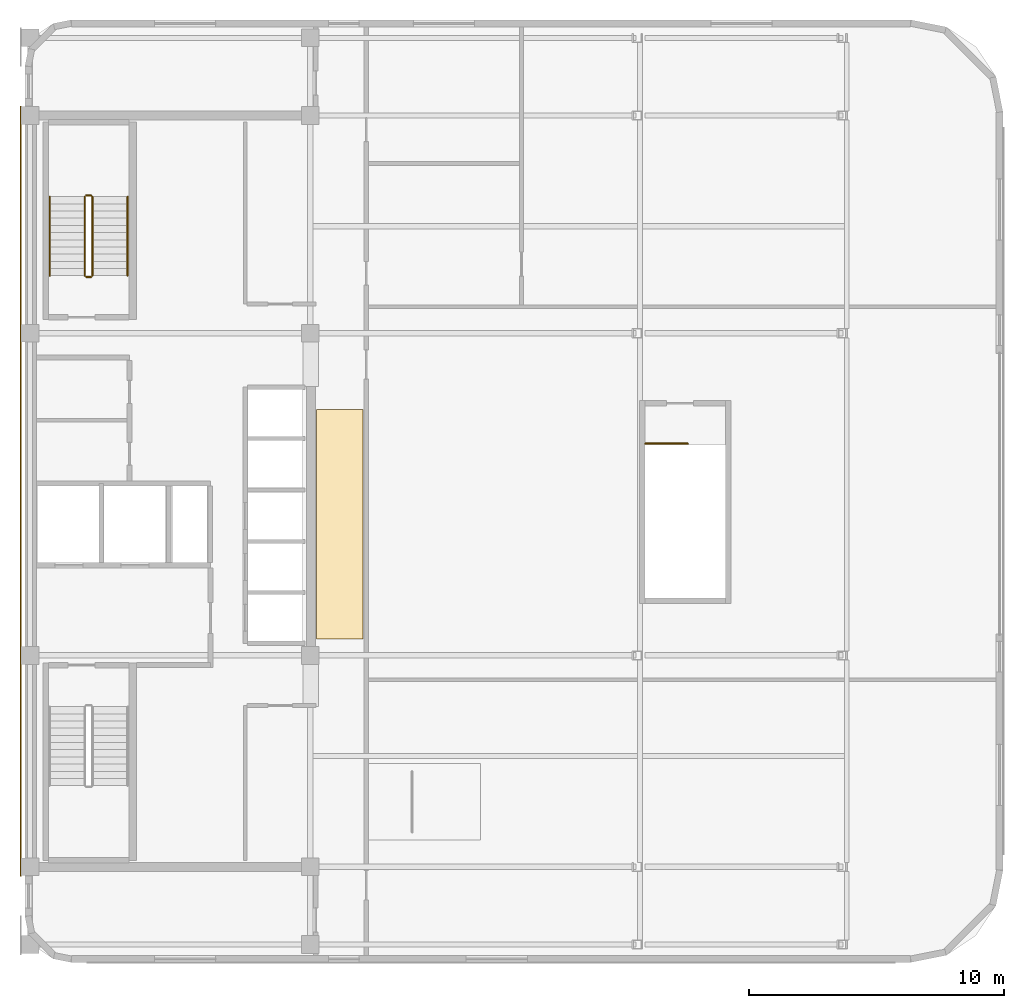
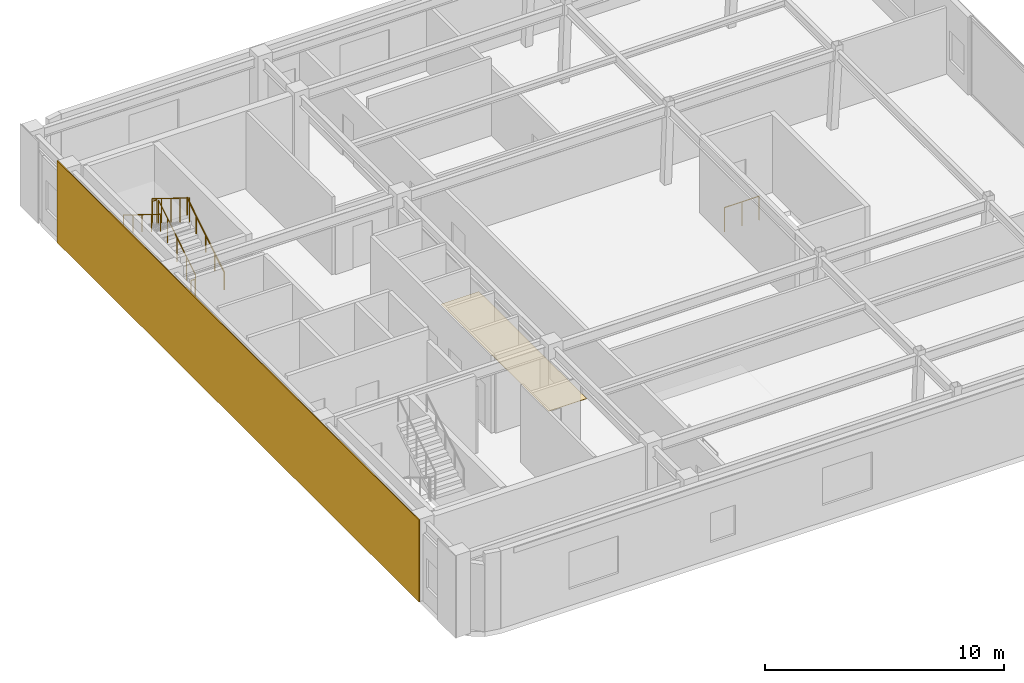
# One storey, part 7 of 8: 7 railings, 2 coverings.
"""IFC4 building model written with IfcOpenShell, lengths in metres."""

import ifcopenshell
import ifcopenshell.guid

model = None  # the IFC model being written
_history = None  # IfcOwnerHistory: only IFC2X3 demands one
_inside = {}  # id of a spatial element -> (the spatial element, [elements in it])
_under = {}  # id of a project, library or spatial element -> (it, [spatial elements below it])
_declared = {}  # id of a project -> (the project, [libraries it declares])
_typed = {}  # id of a type object -> (the type object, [elements of that type])
_made_of = {}  # id of a material, layer set ... -> (it, [elements and type objects made of it])


def new_model(schema):
    """Start an empty IFC model of exactly this schema.

    Asked for "IFC4X3", IfcOpenShell would pick the latest addendum, in which some entities
    have other attributes; the version numbers below select the first issue.
    IFC2X3 requires an IfcOwnerHistory on every rooted entity: one is made here for all.
    """
    global model, _history
    if schema == "IFC4X3":
        model = ifcopenshell.file(schema_version=(4, 3, 0, 0))
    else:
        model = ifcopenshell.file(schema=schema)
    _inside.clear()
    _under.clear()
    _declared.clear()
    _typed.clear()
    _made_of.clear()
    _history = None
    if model.schema == "IFC2X3":
        org = make("IfcOrganization", Name="unknown")
        user = make(
            "IfcPersonAndOrganization",
            ThePerson=make("IfcPerson", FamilyName="unknown"),
            TheOrganization=org,
        )
        app = make(
            "IfcApplication",
            ApplicationDeveloper=org,
            Version="unknown",
            ApplicationFullName="unknown",
            ApplicationIdentifier="unknown",
        )
        _history = make(
            "IfcOwnerHistory",
            OwningUser=user,
            OwningApplication=app,
            ChangeAction="ADDED",
            CreationDate=0,
        )
    return model


def make(cls, **values):
    """One entity of the class cls with the attributes given. An attribute that is None is left unset."""
    return model.create_entity(
        cls, **{name: value for name, value in values.items() if value is not None}
    )


def rooted(cls, **values):
    """An entity with a GlobalId (a new one), such as an element, a storey or a relation."""
    return make(cls, GlobalId=ifcopenshell.guid.new(), OwnerHistory=_history, **values)


def si_unit(unit_type, name, prefix=None):
    """IfcSIUnit, for example si_unit("LENGTHUNIT", "METRE", prefix="MILLI")."""
    return make("IfcSIUnit", UnitType=unit_type, Prefix=prefix, Name=name)


def assignment(units):
    """IfcUnitAssignment: the units of a project."""
    return None if units is None else make("IfcUnitAssignment", Units=units)


def point(xyz):
    """IfcCartesianPoint."""
    return None if xyz is None else make("IfcCartesianPoint", Coordinates=xyz)


def direction(xyz):
    """IfcDirection."""
    return None if xyz is None else make("IfcDirection", DirectionRatios=xyz)


def frame(location, z_axis=None, x_axis=None):
    """IfcAxis2Placement3D, a coordinate frame: its origin and axes. An axis left out is left unset."""
    return make(
        "IfcAxis2Placement3D",
        Location=point(location),
        Axis=direction(z_axis),
        RefDirection=direction(x_axis),
    )


def frame_2d(location, x_axis=None):
    """IfcAxis2Placement2D, a coordinate frame in the plane: its origin and x axis."""
    return make(
        "IfcAxis2Placement2D", Location=point(location), RefDirection=direction(x_axis)
    )


def origin():
    """The frame at (0, 0, 0) with its axes left unset."""
    return frame((0.0, 0.0, 0.0))


def origin_2d():
    """The frame at (0, 0) in the plane with its x axis left unset."""
    return frame_2d((0.0, 0.0))


def place(relative_to, where):
    """IfcLocalPlacement: puts the frame where relative to a parent placement (None: the world)."""
    return make(
        "IfcLocalPlacement", PlacementRelTo=relative_to, RelativePlacement=where
    )


def context(
    kind, dimensions, precision=None, world=None, true_north=None, identifier=None
):
    """IfcGeometricRepresentationContext, for example the 3D "Model" context."""
    return make(
        "IfcGeometricRepresentationContext",
        ContextIdentifier=identifier,
        ContextType=kind,
        CoordinateSpaceDimension=dimensions,
        Precision=precision,
        WorldCoordinateSystem=world,
        TrueNorth=true_north,
    )


def subcontext(parent, identifier, kind, view, scale=None):
    """IfcGeometricRepresentationSubContext, for example "Body" below "Model"."""
    return make(
        "IfcGeometricRepresentationSubContext",
        ContextIdentifier=identifier,
        ContextType=kind,
        ParentContext=parent,
        TargetScale=scale,
        TargetView=view,
    )


def project(units=None, contexts=None):
    """IfcProject with its units and contexts."""
    return rooted(
        "IfcProject",
        Name="project",
        RepresentationContexts=contexts,
        UnitsInContext=assignment(units),
    )


def spatial(cls, under=None, at=None, **own):
    """A site, building, storey or space (cls), placed at a placement, below another one or the project."""
    s = rooted(cls, ObjectPlacement=at, **own)
    if under is not None:
        _under.setdefault(under.id(), (under, []))[1].append(s)
    return s


def polyline(points):
    """IfcPolyline through the points."""
    return make("IfcPolyline", Points=[point(p) for p in points])


def profile(cls, at=None, kind="AREA", **sizes):
    """A parametric profile (cls). Its sizes go by their IFC names, for example OverallWidth=200.0."""
    return make(cls, ProfileType=kind, Position=at, **sizes)


def rectangle(**sizes):
    """IfcRectangleProfileDef."""
    return profile("IfcRectangleProfileDef", **sizes)


def circle(**sizes):
    """IfcCircleProfileDef."""
    return profile("IfcCircleProfileDef", **sizes)


def outline(outer, holes=None, kind="AREA"):
    """IfcArbitraryClosedProfileDef: a profile drawn as a closed curve; with holes, ...WithVoids."""
    if holes is None:
        return make("IfcArbitraryClosedProfileDef", ProfileType=kind, OuterCurve=outer)
    return make(
        "IfcArbitraryProfileDefWithVoids",
        ProfileType=kind,
        OuterCurve=outer,
        InnerCurves=holes,
    )


def extrude(swept, where, along, depth):
    """IfcExtrudedAreaSolid: the profile swept, set in the frame where, extruded along a direction by depth."""
    return make(
        "IfcExtrudedAreaSolid",
        SweptArea=swept,
        Position=where,
        ExtrudedDirection=direction(along),
        Depth=depth,
    )


def shape(context_of_items, identifier, shape_type, items):
    """IfcShapeRepresentation: the items that make up one representation, for example the "Body"."""
    return make(
        "IfcShapeRepresentation",
        ContextOfItems=context_of_items,
        RepresentationIdentifier=identifier,
        RepresentationType=shape_type,
        Items=items,
    )


def material(Name=None, Category=None):
    """IfcMaterial."""
    return make("IfcMaterial", Name=Name, Category=Category)


def layer(
    of_material, thickness, ventilated=None, Name=None, Category=None, Priority=None
):
    """IfcMaterialLayer: one layer of a wall or slab, of a material (None: an air gap)."""
    return make(
        "IfcMaterialLayer",
        Material=of_material,
        LayerThickness=thickness,
        IsVentilated=ventilated,
        Name=Name,
        Category=Category,
        Priority=Priority,
    )


def layer_set(layers, Name=None):
    """IfcMaterialLayerSet."""
    return make("IfcMaterialLayerSet", MaterialLayers=layers, LayerSetName=Name)


def made_of(thing, what):
    """Note that an element or type object is made of a material, layer set ...; save() writes the relation."""
    if what is not None:
        _made_of.setdefault(what.id(), (what, []))[1].append(thing)
    return thing


def type_object(cls, material=None, **own):
    """A type object (cls), such as IfcWallType, which elements share."""
    return made_of(rooted(cls, **own), material)


def element(
    cls,
    number,
    at=None,
    inside=None,
    cuts=None,
    type_object=None,
    material=None,
    context=None,
    identifier="Body",
    shape_type=None,
    held_by="IfcProductDefinitionShape",
    body=None,
    shapes=None,
    **own,
):
    """One element of the class cls, such as IfcWall. Its Tag is "e" and its number.

    at: its placement. inside: the storey or other place that contains it. cuts: it is an
    opening in that element (IfcRelVoidsElement). A single representation is given by context,
    identifier, shape_type and body (its items); several are given by shapes. held_by: the class
    of the entity that holds the representations. save() writes the other relations.
    """
    e = rooted(cls, Tag="e%d" % number, ObjectPlacement=at, **own)
    if body is not None:
        shapes = [shape(context, identifier, shape_type, body)]
    if shapes is not None:
        e.Representation = make(held_by, Representations=shapes)
    if inside is not None:
        _inside.setdefault(inside.id(), (inside, []))[1].append(e)
    if cuts is not None:
        rooted(
            "IfcRelVoidsElement", RelatingBuildingElement=cuts, RelatedOpeningElement=e
        )
    if type_object is not None:
        _typed.setdefault(type_object.id(), (type_object, []))[1].append(e)
    return made_of(e, material)


def aggregate(whole, parts):
    """IfcRelAggregates: a whole, such as a stair, and the parts it consists of."""
    return rooted("IfcRelAggregates", RelatingObject=whole, RelatedObjects=parts)


def save(model, path):
    """Write the relations noted so far, then the file.

    IfcRelAggregates (storeys below a building ...), IfcRelContainedInSpatialStructure (elements
    in a storey), IfcRelDefinesByType, IfcRelAssociatesMaterial and IfcRelDeclares: one each for
    every whole, place, type object, material and project.
    """
    for whole, parts in _under.values():
        aggregate(whole, parts)
    for where, things in _inside.values():
        rooted(
            "IfcRelContainedInSpatialStructure",
            RelatedElements=things,
            RelatingStructure=where,
        )
    for kind, things in _typed.values():
        rooted("IfcRelDefinesByType", RelatedObjects=things, RelatingType=kind)
    for what, things in _made_of.values():
        rooted("IfcRelAssociatesMaterial", RelatedObjects=things, RelatingMaterial=what)
    for by, libraries in _declared.values():
        rooted("IfcRelDeclares", RelatingContext=by, RelatedDefinitions=libraries)
    model.write(path)


model = new_model("IFC4")

# Units and contexts
model_context = context("Model", 3, precision=1e-05, world=origin(), true_north=direction((0.0, 1.0)))
body_context = subcontext(model_context, "Body", "Model", "MODEL_VIEW")
ifc_project = project(units=[si_unit("LENGTHUNIT", "METRE"), si_unit("AREAUNIT", "SQUARE_METRE"), si_unit("VOLUMEUNIT", "CUBIC_METRE"), si_unit("PLANEANGLEUNIT", "RADIAN"), si_unit("MASSUNIT", "GRAM", prefix="KILO")], contexts=[model_context])

# Site, building, storey
site_placement = place(None, origin())
site = spatial("IfcSite", under=ifc_project, at=site_placement, CompositionType="ELEMENT")
building_placement = place(site_placement, origin())
building = spatial("IfcBuilding", under=site, at=building_placement, Name="Ochreholt Gables", CompositionType="ELEMENT")
storey_placement = place(building_placement, frame((0.0, 0.0, 231.0)))
storey = spatial("IfcBuildingStorey", under=building, at=storey_placement, Name="L60", CompositionType="ELEMENT", Elevation=231.0)

# Coverings
ifc_material_1 = material(Name="Glazed Ochre Terracotta Rainscreen Cladding", Category="masonry")
ifc_layer_1 = layer(ifc_material_1, 0.044921875, Name="Glazed Ochre Terracotta Rainscreen Cladding")
ifc_layer_set_1 = layer_set([ifc_layer_1], Name="Glazed Ochre Terracotta Rainscreen Cladding")
covering_type_1 = type_object("IfcCoveringType", Name="COV-CLAD-TC", PredefinedType="CLADDING", material=ifc_layer_set_1)
covering_1_placement = place(storey_placement, frame((23.827880859375, 24.0, 0.01025390625), z_axis=(0.0, 0.0, 1.0), x_axis=(0.0, 1.0, 0.0)))
element("IfcCovering", 1, at=covering_1_placement, inside=storey, type_object=covering_type_1, Name="L60 West Core Terracotta Rainscreen Cladding", PredefinedType="CLADDING", context=body_context, shape_type="SweptSolid", body=[
    extrude(rectangle(XDim=30.239990234375, YDim=0.044921875, at=origin_2d()), origin(), (0.0, 0.0, 1.0), 4.179931640625),
])
ifc_material_2 = material(Name="Acoustic Resilient Timber Flooring", Category="wood")
ifc_layer_2 = layer(ifc_material_2, 0.02001953125, Name="Acoustic Resilient Timber Flooring")
ifc_layer_set_2 = layer_set([ifc_layer_2], Name="Acoustic Resilient Timber Flooring")
covering_type_2 = type_object("IfcCoveringType", Name="COV-FLR-RES", PredefinedType="FLOORING", material=ifc_layer_set_2)
covering_2_placement = place(storey_placement, origin())
element("IfcCovering", 2, at=covering_2_placement, inside=storey, type_object=covering_type_2, Name="L60 Floor Finish", PredefinedType="FLOORING", context=body_context, shape_type="SweptSolid", body=[
    extrude(outline(polyline([(35.449951171875, 18.199951171875), (37.280029296875, 18.199951171875), (37.280029296875, 27.199951171875), (35.449951171875, 27.199951171875), (35.449951171875, 18.199951171875)])), origin(), (0.0, 0.0, 1.0), 0.02001953125),
])

# Railings
ifc_material_3 = material(Name="Painted Steel Stair Guardrail", Category="steel")
railing_type_1 = type_object("IfcRailingType", Name="RL-ST-GUARD", PredefinedType="GUARDRAIL", material=ifc_material_3)
railing_1_placement = place(storey_placement, frame((26.64990234375, 32.4599609375, 0.175048828125)))
element("IfcRailing", 3, at=railing_1_placement, inside=storey, type_object=railing_type_1, Name="L60 ST-2 stair guard 1", PredefinedType="GUARDRAIL", context=body_context, shape_type="SweptSolid", body=[
    extrude(circle(Radius=0.02392578125, at=origin_2d()), frame((0.0, 0.0, 1.22607421875), z_axis=(0.0, 0.849684591916, 0.527291280281), x_axis=(-1.0, 0.0, 0.0)), (0.0, 0.0, 1.0), 3.65087890625),
    extrude(circle(Radius=0.02099609375, at=origin_2d()), origin(), (0.0, 0.0, 1.0), 1.201904296875),
    extrude(circle(Radius=0.02099609375, at=origin_2d()), frame((0.0, 0.775390625, 0.481201171875)), (0.0, 0.0, 1.0), 1.201904296875),
    extrude(circle(Radius=0.02099609375, at=origin_2d()), frame((0.0, 1.551025390625, 0.96240234375)), (0.0, 0.0, 1.0), 1.201904296875),
    extrude(circle(Radius=0.02099609375, at=origin_2d()), frame((0.0, 2.32666015625, 1.44384765625)), (0.0, 0.0, 1.0), 1.201904296875),
    extrude(circle(Radius=0.02099609375, at=origin_2d()), frame((0.0, 3.10205078125, 1.925048828125)), (0.0, 0.0, 1.0), 1.201904296875),
])
railing_2_placement = place(storey_placement, frame((26.60009765625, 35.612060546875, 2.10009765625)))
element("IfcRailing", 4, at=railing_2_placement, inside=storey, type_object=railing_type_1, Name="L60 ST-2 stair guard 2", PredefinedType="GUARDRAIL", context=body_context, shape_type="SweptSolid", body=[
    extrude(circle(Radius=0.02392578125, at=origin_2d()), frame((0.0, 0.0, 1.22607421875), z_axis=(-1.0, 0.0, 0.0), x_axis=(0.0, -1.0, 0.0)), (0.0, 0.0, 1.0), 0.2001953125),
    extrude(circle(Radius=0.02099609375, at=origin_2d()), origin(), (0.0, 0.0, 1.0), 1.201904296875),
    extrude(circle(Radius=0.02099609375, at=origin_2d()), frame((-0.2001953125, 0.0, 0.0)), (0.0, 0.0, 1.0), 1.201904296875),
])
railing_3_placement = place(storey_placement, frame((26.35009765625, 35.56201171875, 2.27490234375)))
element("IfcRailing", 5, at=railing_3_placement, inside=storey, type_object=railing_type_1, Name="L60 ST-2 stair guard 3", PredefinedType="GUARDRAIL", context=body_context, shape_type="SweptSolid", body=[
    extrude(circle(Radius=0.02392578125, at=origin_2d()), frame((0.0, 0.0, 1.22607421875), z_axis=(0.0, -0.849684591916, 0.527291280281), x_axis=(1.0, 0.0, 0.0)), (0.0, 0.0, 1.0), 3.65087890625),
    extrude(circle(Radius=0.02099609375, at=origin_2d()), origin(), (0.0, 0.0, 1.0), 1.201904296875),
    extrude(circle(Radius=0.02099609375, at=origin_2d()), frame((0.0, -0.775390625, 0.481201171875)), (0.0, 0.0, 1.0), 1.201904296875),
    extrude(circle(Radius=0.02099609375, at=origin_2d()), frame((0.0, -1.551025390625, 0.96240234375)), (0.0, 0.0, 1.0), 1.201904296875),
    extrude(circle(Radius=0.02099609375, at=origin_2d()), frame((0.0, -2.32666015625, 1.44384765625)), (0.0, 0.0, 1.0), 1.201904296875),
    extrude(circle(Radius=0.02099609375, at=origin_2d()), frame((0.0, -3.10205078125, 1.925048828125)), (0.0, 0.0, 1.0), 1.201904296875),
])
railing_4_placement = place(storey_placement, frame((26.60009765625, 32.409912109375, 0.0)))
element("IfcRailing", 6, at=railing_4_placement, inside=storey, type_object=railing_type_1, Name="L60 ST-2 stair guard 4", PredefinedType="GUARDRAIL", context=body_context, shape_type="SweptSolid", body=[
    extrude(circle(Radius=0.02392578125, at=origin_2d()), frame((0.0, 0.0, 1.22607421875), z_axis=(-1.0, 0.0, 0.0), x_axis=(0.0, -1.0, 0.0)), (0.0, 0.0, 1.0), 0.2001953125),
    extrude(circle(Radius=0.02099609375, at=origin_2d()), origin(), (0.0, 0.0, 1.0), 1.201904296875),
    extrude(circle(Radius=0.02099609375, at=origin_2d()), frame((-0.2001953125, 0.0, 0.0)), (0.0, 0.0, 1.0), 1.201904296875),
])
railing_5_placement = place(storey_placement, frame((48.35009765625, 25.8701171875, 0.0)))
element("IfcRailing", 7, at=railing_5_placement, inside=storey, type_object=railing_type_1, Name="L60 ST-C6 top well guard 1", PredefinedType="GUARDRAIL", context=body_context, shape_type="SweptSolid", body=[
    extrude(circle(Radius=0.02392578125, at=origin_2d()), frame((0.0, 0.0, 1.22607421875), z_axis=(1.0, 0.0, 0.0), x_axis=(0.0, 1.0, 0.0)), (0.0, 0.0, 1.0), 1.679931640625),
    extrude(circle(Radius=0.02099609375, at=origin_2d()), origin(), (0.0, 0.0, 1.0), 1.201904296875),
    extrude(circle(Radius=0.02099609375, at=origin_2d()), frame((0.83984375, 0.0, 0.0)), (0.0, 0.0, 1.0), 1.201904296875),
    extrude(circle(Radius=0.02099609375, at=origin_2d()), frame((1.679931640625, 0.0, 0.0)), (0.0, 0.0, 1.0), 1.201904296875),
])
ifc_material_4 = material(Name="Brushed Stainless Steel Wall Handrail", Category="steel")
railing_type_2 = type_object("IfcRailingType", Name="RL-ST-HAND", PredefinedType="HANDRAIL", material=ifc_material_4)
railing_6_placement = place(storey_placement, frame((28.030029296875, 32.4599609375, 0.175048828125)))
element("IfcRailing", 8, at=railing_6_placement, inside=storey, type_object=railing_type_2, Name="L60 ST-2 stair handrail 1", PredefinedType="HANDRAIL", context=body_context, shape_type="SweptSolid", body=[
    extrude(circle(Radius=0.02392578125, at=origin_2d()), frame((0.0, 0.0, 0.8759765625), z_axis=(0.0, 0.849684591916, 0.527291280281), x_axis=(-1.0, 0.0, 0.0)), (0.0, 0.0, 1.0), 3.65087890625),
    extrude(circle(Radius=0.02099609375, at=origin_2d()), origin(), (0.0, 0.0, 1.0), 0.851806640625),
    extrude(circle(Radius=0.02099609375, at=origin_2d()), frame((0.0, 0.775390625, 0.481201171875)), (0.0, 0.0, 1.0), 0.851806640625),
    extrude(circle(Radius=0.02099609375, at=origin_2d()), frame((0.0, 1.551025390625, 0.96240234375)), (0.0, 0.0, 1.0), 0.851806640625),
    extrude(circle(Radius=0.02099609375, at=origin_2d()), frame((0.0, 2.32666015625, 1.44384765625)), (0.0, 0.0, 1.0), 0.851806640625),
    extrude(circle(Radius=0.02099609375, at=origin_2d()), frame((0.0, 3.10205078125, 1.925048828125)), (0.0, 0.0, 1.0), 0.851806640625),
])
railing_7_placement = place(storey_placement, frame((24.969970703125, 35.56201171875, 2.27490234375)))
element("IfcRailing", 9, at=railing_7_placement, inside=storey, type_object=railing_type_2, Name="L60 ST-2 stair handrail 2", PredefinedType="HANDRAIL", context=body_context, shape_type="SweptSolid", body=[
    extrude(circle(Radius=0.02392578125, at=origin_2d()), frame((0.0, 0.0, 0.8759765625), z_axis=(0.0, -0.849684591916, 0.527291280281), x_axis=(1.0, 0.0, 0.0)), (0.0, 0.0, 1.0), 3.65087890625),
    extrude(circle(Radius=0.02099609375, at=origin_2d()), origin(), (0.0, 0.0, 1.0), 0.851806640625),
    extrude(circle(Radius=0.02099609375, at=origin_2d()), frame((0.0, -0.775390625, 0.481201171875)), (0.0, 0.0, 1.0), 0.851806640625),
    extrude(circle(Radius=0.02099609375, at=origin_2d()), frame((0.0, -1.551025390625, 0.96240234375)), (0.0, 0.0, 1.0), 0.851806640625),
    extrude(circle(Radius=0.02099609375, at=origin_2d()), frame((0.0, -2.32666015625, 1.44384765625)), (0.0, 0.0, 1.0), 0.851806640625),
    extrude(circle(Radius=0.02099609375, at=origin_2d()), frame((0.0, -3.10205078125, 1.925048828125)), (0.0, 0.0, 1.0), 0.851806640625),
])

save(model, "model.ifc")
